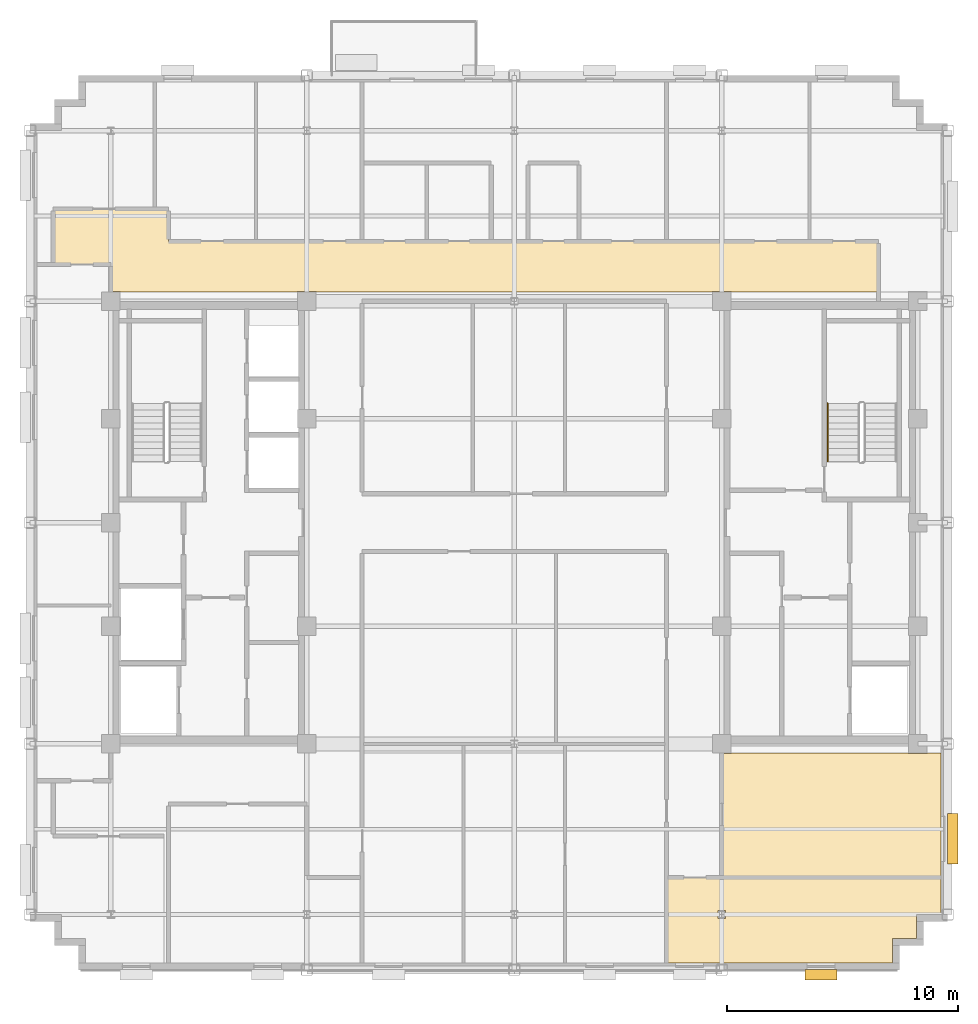
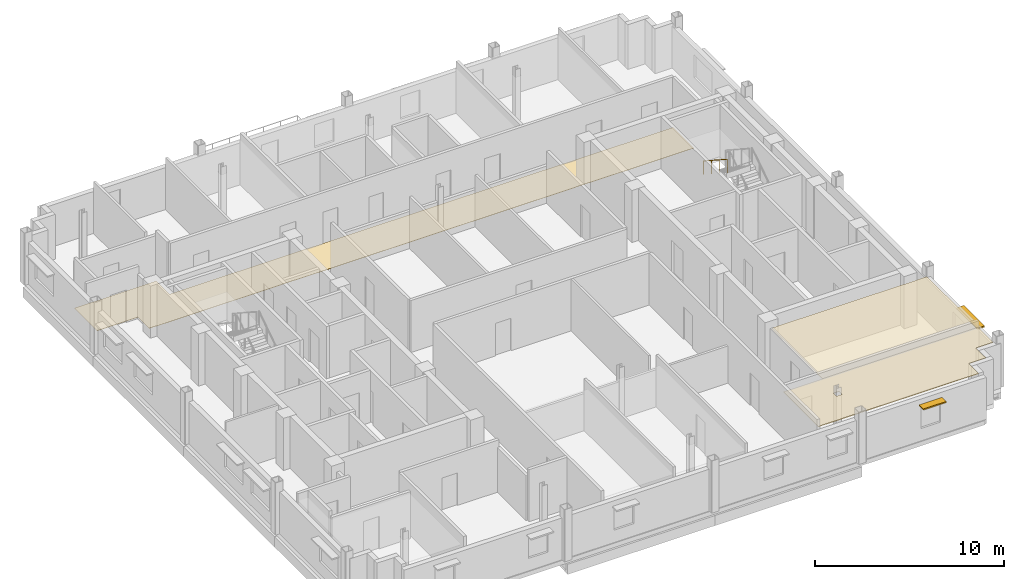
# One storey, part 12 of 14: 3 coverings, 2 shading devices, 1 railing.
"""IFC4 building model written with IfcOpenShell, lengths in metres."""

from ifc_helpers import new_model, si_unit, direction, frame, origin, origin_2d, place, context, subcontext, project, spatial, polyline, rectangle, circle, outline, extrude, source, transform, mapped, material, layer, layer_set, type_object, type_shapes, element, save


model = new_model("IFC4")

# Units and contexts
model_context = context("Model", 3, precision=1e-05, world=origin(), true_north=direction((0.0, 1.0)))
body_context = subcontext(model_context, "Body", "Model", "MODEL_VIEW")
ifc_project = project(units=[si_unit("LENGTHUNIT", "METRE"), si_unit("AREAUNIT", "SQUARE_METRE"), si_unit("VOLUMEUNIT", "CUBIC_METRE"), si_unit("PLANEANGLEUNIT", "RADIAN"), si_unit("MASSUNIT", "GRAM", prefix="KILO")], contexts=[model_context])

# Site, building, storey
site_placement = place(None, origin())
site = spatial("IfcSite", under=ifc_project, at=site_placement, CompositionType="ELEMENT")
building_placement = place(site_placement, origin())
building = spatial("IfcBuilding", under=site, at=building_placement, Name="Nuvemarco Arch Tower", CompositionType="ELEMENT")
storey_placement = place(building_placement, frame((0.0, 0.0, 268.89990234375)))
storey = spatial("IfcBuildingStorey", under=building, at=storey_placement, Name="L71", CompositionType="ELEMENT", Elevation=268.89990234375)

# Coverings
ifc_material_1 = material(Name="Mineral acoustic ceiling tile")
ifc_layer_1 = layer(ifc_material_1, 0.0400390625, Name="COV-ACOUSTIC-CLG")
ifc_layer_set_1 = layer_set([ifc_layer_1], Name="Mineral acoustic ceiling tile")
covering_type_1 = type_object("IfcCoveringType", Name="COV-ACOUSTIC-CLG", PredefinedType="CEILING", material=ifc_layer_set_1)
covering_1_placement = place(storey_placement, frame((0.0, 0.0, 2.85009765625)))
element("IfcCovering", 1, at=covering_1_placement, inside=storey, type_object=covering_type_1, Name="L71 suspended acoustic ceiling 2", PredefinedType="CEILING", context=body_context, shape_type="SweptSolid", body=[
    extrude(outline(polyline([(17.0849609375, -10.014892578125), (17.9150390625, -10.014892578125), (17.9150390625, -10.0), (18.5, -10.0), (18.5, -15.39990234375), (9.0, -15.39990234375), (9.0, -10.014892578125), (9.4150390625, -10.014892578125), (9.4150390625, -10.0), (17.0849609375, -10.0), (17.0849609375, -10.014892578125)])), origin(), (0.0, 0.0, 1.0), 0.0400390625),
])
covering_2_placement = place(storey_placement, frame((0.0, 0.0, 2.85009765625)))
element("IfcCovering", 2, at=covering_2_placement, inside=storey, type_object=covering_type_1, Name="L71 suspended acoustic ceiling 7", PredefinedType="CEILING", context=body_context, shape_type="SweptSolid", body=[
    extrude(outline(polyline([(16.39990234375, -19.10009765625), (6.60009765625, -19.10009765625), (6.60009765625, -15.39990234375), (9.0, -15.39990234375), (18.5, -15.39990234375), (18.5, -17.0), (17.449951171875, -17.0), (17.449951171875, -18.050048828125), (16.39990234375, -18.050048828125), (16.39990234375, -19.10009765625)]), holes=[polyline([(9.169921875, -17.169921875), (9.169921875, -16.830078125), (8.830078125, -16.830078125), (8.830078125, -17.169921875), (9.169921875, -17.169921875)])]), origin(), (0.0, 0.0, 1.0), 0.0400390625),
])
ifc_material_2 = material(Name="Polished granite terrazzostone flooring", Category="masonry")
ifc_layer_2 = layer(ifc_material_2, 0.02001953125, Name="COV-LOBBY-FLR")
ifc_layer_set_2 = layer_set([ifc_layer_2], Name="Polished granite terrazzostone flooring")
covering_type_2 = type_object("IfcCoveringType", Name="COV-LOBBY-FLR", PredefinedType="FLOORING", material=ifc_layer_set_2)
covering_3_placement = place(storey_placement, origin())
element("IfcCovering", 3, at=covering_3_placement, inside=storey, type_object=covering_type_2, Name="L71 polished terrazzo lobby flooring", PredefinedType="FLOORING", context=body_context, shape_type="SweptSolid", body=[
    extrude(outline(polyline([(-8.5849609375, 10.014892578125), (-9.4150390625, 10.014892578125), (-9.4150390625, 10.0), (-17.0849609375, 10.0), (-17.0849609375, 10.014892578125), (-17.5, 10.014892578125), (-17.5, 11.199951171875), (-20.0, 11.199951171875), (-20.0, 13.60009765625), (-15.0, 13.60009765625), (-15.0, 12.199951171875), (-9.0, 12.199951171875), (-6.60009765625, 12.199951171875), (6.60009765625, 12.199951171875), (9.0, 12.199951171875), (15.800048828125, 12.199951171875), (15.800048828125, 10.0), (9.4150390625, 10.0), (9.4150390625, 10.014892578125), (8.5849609375, 10.014892578125), (8.5849609375, 10.0), (-8.5849609375, 10.0), (-8.5849609375, 10.014892578125)])), origin(), (0.0, 0.0, 1.0), 0.02001953125),
])

# Railing
ifc_material_3 = material(Name="Brushed stainless steel handrail", Category="steel")
railing_type = type_object("IfcRailingType", Name="RL-HANDRAIL-900", PredefinedType="HANDRAIL", material=ifc_material_3)
railing_placement = place(storey_placement, frame((13.590087890625, 5.169921875, 2.007568359375)))
element("IfcRailing", 4, at=railing_placement, inside=storey, type_object=railing_type, Name="L71 ST-2 stair handrail 2", PredefinedType="HANDRAIL", context=body_context, shape_type="SweptSolid", body=[
    extrude(circle(Radius=0.02392578125, at=origin_2d()), frame((0.0, 0.0, 0.8759765625), z_axis=(0.0, -0.837749427056, 0.546054848405), x_axis=(1.0, 0.0, 0.0)), (0.0, 0.0, 1.0), 3.008056640625),
    extrude(circle(Radius=0.02099609375, at=origin_2d()), origin(), (0.0, 0.0, 1.0), 0.851806640625),
    extrude(circle(Radius=0.02099609375, at=origin_2d()), frame((0.0, -0.840087890625, 0.547607421875)), (0.0, 0.0, 1.0), 0.851806640625),
    extrude(circle(Radius=0.02099609375, at=origin_2d()), frame((0.0, -1.679931640625, 1.094970703125)), (0.0, 0.0, 1.0), 0.851806640625),
    extrude(circle(Radius=0.02099609375, at=origin_2d()), frame((0.0, -2.52001953125, 1.642578125)), (0.0, 0.0, 1.0), 0.851806640625),
])

# Shading devices
ifc_material_4 = material(Name="Anodised aluminium 6063-T6", Category="aluminium")
shading_device_type_1 = type_object("IfcShadingDeviceType", Name="SHD-BRISE-SOLEIL", PredefinedType="USERDEFINED", material=ifc_material_4)
shared_shape_1 = source(origin(), body_context, "Body", "SweptSolid", [
    extrude(rectangle(XDim=2.199951171875, YDim=0.449951171875, at=origin_2d()), origin(), (0.0, 0.0, 1.0), 0.080078125),
])
type_shapes(shading_device_type_1, [shared_shape_1])
shading_device_1_placement = place(storey_placement, frame((19.014892578125, -13.7177734375, 2.28515625), z_axis=(0.0, 0.0, 1.0), x_axis=(0.0, 1.0, 0.0)))
element("IfcShadingDevice", 5, at=shading_device_1_placement, inside=storey, type_object=shading_device_type_1, Name="L71 horizontal brise-soleil sunshade", ObjectType="SUNSHADE", PredefinedType="USERDEFINED", context=body_context, shape_type="MappedRepresentation", body=[
    mapped(shared_shape_1, transform((0.0, 0.0, 0.0), scale=1.0)),
])
shading_device_type_2 = type_object("IfcShadingDeviceType", Name="SHD-BRISE-NARROW", PredefinedType="USERDEFINED", material=ifc_material_4)
shared_shape_2 = source(origin(), body_context, "Body", "SweptSolid", [
    extrude(rectangle(XDim=1.39990234375, YDim=0.449951171875, at=origin_2d()), origin(), (0.0, 0.0, 1.0), 0.080078125),
])
type_shapes(shading_device_type_2, [shared_shape_2])
shading_device_2_placement = place(storey_placement, frame((13.300048828125, -19.614990234375, 2.28515625), z_axis=(0.0, 0.0, 1.0), x_axis=(1.0, 0.0, 0.0)))
element("IfcShadingDevice", 6, at=shading_device_2_placement, inside=storey, type_object=shading_device_type_2, Name="L71 horizontal brise-soleil sunshade", ObjectType="SUNSHADE", PredefinedType="USERDEFINED", context=body_context, shape_type="MappedRepresentation", body=[
    mapped(shared_shape_2, transform((0.0, 0.0, 0.0), scale=1.0)),
])

save(model, "model.ifc")
